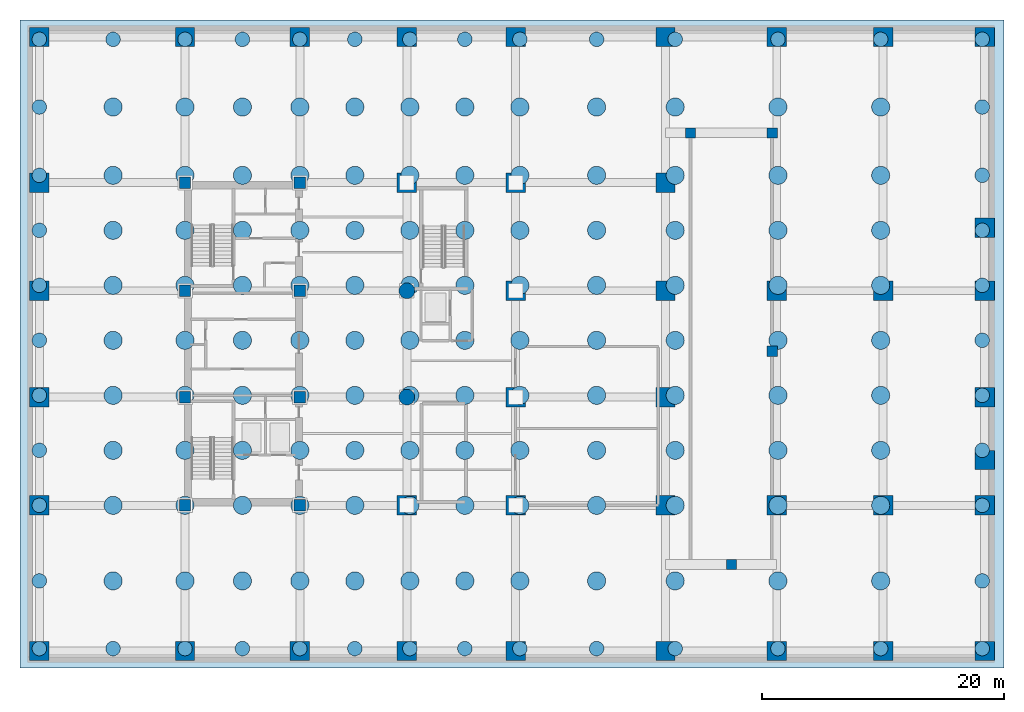
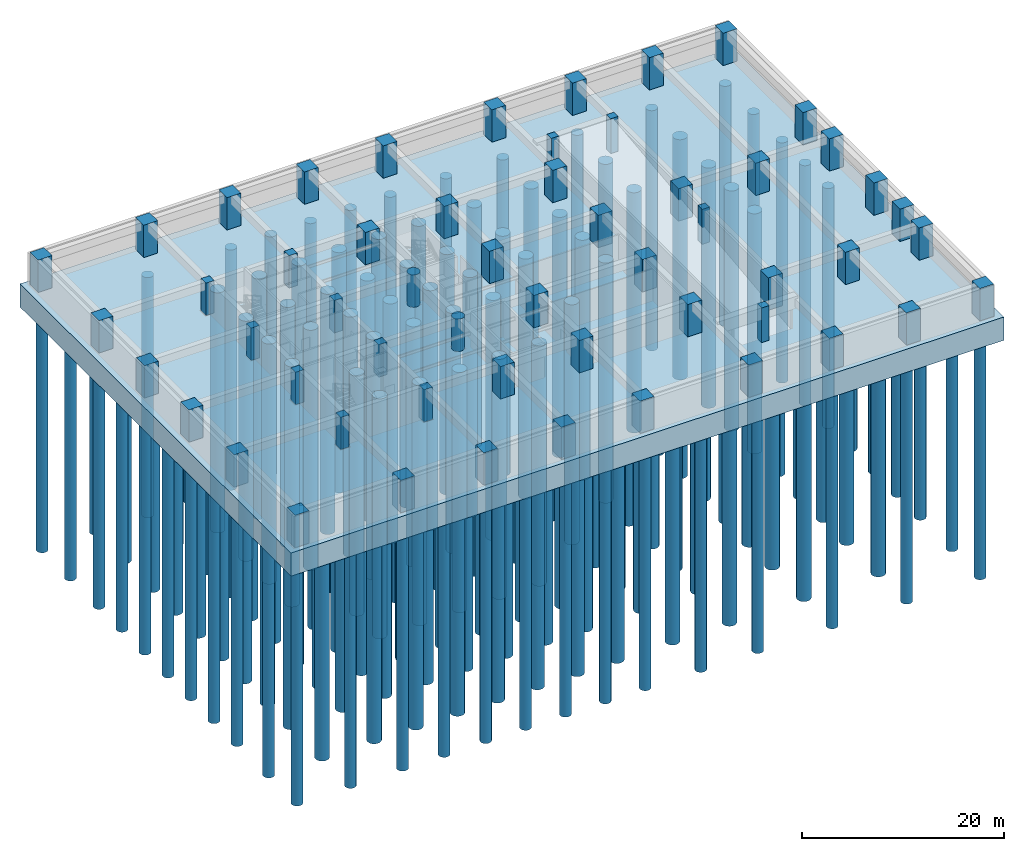
# One storey, part 1 of 9: 154 piles, 55 columns, 1 footing.
"""IFC4 building model written with IfcOpenShell, lengths in metres."""

from ifc_helpers import new_model, si_unit, direction, frame, origin, origin_2d, place, context, subcontext, project, spatial, polyline, rectangle, circle, outline, extrude, material, layer, layer_set, material_profile, profile_set, type_object, element, save


model = new_model("IFC4")

# Units and contexts
model_context = context("Model", 3, precision=1e-05, world=origin(), true_north=direction((0.0, 1.0)))
body_context = subcontext(model_context, "Body", "Model", "MODEL_VIEW")
ifc_project = project(units=[si_unit("LENGTHUNIT", "METRE"), si_unit("AREAUNIT", "SQUARE_METRE"), si_unit("VOLUMEUNIT", "CUBIC_METRE"), si_unit("PLANEANGLEUNIT", "RADIAN"), si_unit("MASSUNIT", "GRAM", prefix="KILO")], contexts=[model_context])

# Site, building, storey
site_placement = place(None, origin())
site = spatial("IfcSite", under=ifc_project, at=site_placement, CompositionType="ELEMENT")
building_placement = place(site_placement, origin())
building = spatial("IfcBuilding", under=site, at=building_placement, Name="Kundavana Baori Tower", CompositionType="ELEMENT")
storey_placement = place(building_placement, frame((0.0, 0.0, -8.39990234375)))
storey = spatial("IfcBuildingStorey", under=building, at=storey_placement, Name="B02", CompositionType="ELEMENT", Elevation=-8.39990234375)

# Footing
ifc_material_1 = material(Name="Concrete C50/60", Category="concrete")
ifc_layer = layer(ifc_material_1, 2.800048828125, Name="FT-RAFT-2800")
ifc_layer_set = layer_set([ifc_layer], Name="Concrete C50/60")
footing_type = type_object("IfcFootingType", Name="FT-RAFT-2800", PredefinedType="PAD_FOOTING", material=ifc_layer_set)
footing_placement = place(storey_placement, frame((0.0, 0.0, -2.800048828125)))
element("IfcFooting", 1, at=footing_placement, inside=storey, type_object=footing_type, Name="Unified Reinforced Concrete Piled Raft RAFT-1", PredefinedType="PAD_FOOTING", context=body_context, shape_type="SweptSolid", body=[
    extrude(outline(polyline([(1.800048828125, 1.800048828125), (83.199951171875, 1.800048828125), (83.199951171875, 55.39990234375), (1.800048828125, 55.39990234375), (1.800048828125, 1.800048828125)])), origin(), (0.0, 0.0, 1.0), 2.800048828125),
])

# Piles
ifc_material_2 = material(Name="Concrete C50/60", Category="concrete")
ifc_material_profile_1 = material_profile(ifc_material_2, circle(Radius=0.60009765625, at=origin_2d()), Name="BORED PILE D1200")
ifc_profile_set_1 = profile_set([ifc_material_profile_1], Name="Concrete C50/60")
pile_type_1 = type_object("IfcPileType", Name="PL-BORED-1200", PredefinedType="BORED", material=ifc_profile_set_1)
for number, where, z_axis, x_axis, name in (
    (2, (3.39990234375, 3.39990234375, -2.650146484375), (0.0, 0.0, -1.0), (1.0, 0.0, 0.0), "Bored Rock-Socketed Pile BP-001"),
    (3, (3.39990234375, 9.0, -2.650146484375), (0.0, 0.0, -1.0), (1.0, 0.0, 0.0), "Bored Rock-Socketed Pile BP-002"),
    (4, (3.39990234375, 15.25, -2.650146484375), (0.0, 0.0, -1.0), (1.0, 0.0, 0.0), "Bored Rock-Socketed Pile BP-003"),
    (5, (3.39990234375, 19.800048828125, -2.650146484375), (0.0, 0.0, -1.0), (1.0, 0.0, 0.0), "Bored Rock-Socketed Pile BP-004"),
    (6, (3.39990234375, 24.35009765625, -2.650146484375), (0.0, 0.0, -1.0), (1.0, 0.0, 0.0), "Bored Rock-Socketed Pile BP-005"),
    (7, (3.39990234375, 28.89990234375, -2.650146484375), (0.0, 0.0, -1.0), (1.0, 0.0, 0.0), "Bored Rock-Socketed Pile BP-006"),
    (8, (3.39990234375, 33.449951171875, -2.650146484375), (0.0, 0.0, -1.0), (1.0, 0.0, 0.0), "Bored Rock-Socketed Pile BP-007"),
    (9, (3.39990234375, 38.0, -2.650146484375), (0.0, 0.0, -1.0), (1.0, 0.0, 0.0), "Bored Rock-Socketed Pile BP-008"),
    (10, (3.39990234375, 42.550048828125, -2.650146484375), (0.0, 0.0, -1.0), (1.0, 0.0, 0.0), "Bored Rock-Socketed Pile BP-009"),
    (11, (3.39990234375, 48.199951171875, -2.650146484375), (0.0, 0.0, -1.0), (1.0, 0.0, 0.0), "Bored Rock-Socketed Pile BP-010"),
    (12, (3.39990234375, 53.800048828125, -2.650146484375), (0.0, 0.0, -1.0), (1.0, 0.0, 0.0), "Bored Rock-Socketed Pile BP-011"),
    (13, (9.5, 3.39990234375, -2.650146484375), (0.0, 0.0, -1.0), (1.0, 0.0, 0.0), "Bored Rock-Socketed Pile BP-012"),
    (14, (9.5, 53.800048828125, -2.650146484375), (0.0, 0.0, -1.0), (1.0, 0.0, 0.0), "Bored Rock-Socketed Pile BP-022"),
    (15, (15.449951171875, 3.39990234375, -2.650146484375), (0.0, 0.0, -1.0), (1.0, 0.0, 0.0), "Bored Rock-Socketed Pile BP-023"),
    (16, (15.449951171875, 53.800048828125, -2.650146484375), (0.0, 0.0, -1.0), (1.0, 0.0, 0.0), "Bored Rock-Socketed Pile BP-033"),
    (17, (20.199951171875, 3.39990234375, -2.650146484375), (0.0, 0.0, -1.0), (1.0, 0.0, 0.0), "Bored Rock-Socketed Pile BP-034"),
    (18, (20.199951171875, 53.800048828125, -2.650146484375), (0.0, 0.0, -1.0), (1.0, 0.0, 0.0), "Bored Rock-Socketed Pile BP-044"),
    (19, (24.949951171875, 3.39990234375, -2.650146484375), (0.0, 0.0, -1.0), (1.0, 0.0, 0.0), "Bored Rock-Socketed Pile BP-045"),
    (20, (24.949951171875, 53.800048828125, -2.650146484375), (0.0, 0.0, -1.0), (1.0, 0.0, 0.0), "Bored Rock-Socketed Pile BP-055"),
    (21, (29.5, 3.39990234375, -2.650146484375), (0.0, 0.0, -1.0), (1.0, 0.0, 0.0), "Bored Rock-Socketed Pile BP-056"),
    (22, (29.5, 53.800048828125, -2.650146484375), (0.0, 0.0, -1.0), (1.0, 0.0, 0.0), "Bored Rock-Socketed Pile BP-066"),
    (23, (34.050048828125, 3.39990234375, -2.650146484375), (0.0, 0.0, -1.0), (1.0, 0.0, 0.0), "Bored Rock-Socketed Pile BP-067"),
    (24, (34.050048828125, 53.800048828125, -2.650146484375), (0.0, 0.0, -1.0), (1.0, 0.0, 0.0), "Bored Rock-Socketed Pile BP-077"),
    (25, (38.60009765625, 3.39990234375, -2.650146484375), (0.0, 0.0, -1.0), (1.0, 0.0, 0.0), "Bored Rock-Socketed Pile BP-078"),
    (26, (38.60009765625, 53.800048828125, -2.650146484375), (0.0, 0.0, -1.0), (1.0, 0.0, 0.0), "Bored Rock-Socketed Pile BP-088"),
    (27, (43.14990234375, 3.39990234375, -2.650146484375), (0.0, 0.0, -1.0), (1.0, 0.0, 0.0), "Bored Rock-Socketed Pile BP-089"),
    (28, (43.14990234375, 53.800048828125, -2.650146484375), (0.0, 0.0, -1.0), (1.0, 0.0, 0.0), "Bored Rock-Socketed Pile BP-099"),
    (29, (49.5, 3.39990234375, -2.650146484375), (0.0, 0.0, -1.0), (1.0, 0.0, 0.0), "Bored Rock-Socketed Pile BP-100"),
    (30, (49.5, 53.800048828125, -2.650146484375), (0.0, 0.0, -1.0), (1.0, 0.0, 0.0), "Bored Rock-Socketed Pile BP-110"),
    (31, (56.0, 3.39990234375, -2.650146484375), (0.0, 0.0, -1.0), (1.0, 0.0, 0.0), "Bored Rock-Socketed Pile BP-111"),
    (32, (56.0, 53.800048828125, -2.650146484375), (0.0, 0.0, -1.0), (1.0, 0.0, 0.0), "Bored Rock-Socketed Pile BP-121"),
    (33, (64.5, 3.39990234375, -2.650146484375), (0.0, 0.0, -1.0), (1.0, 0.0, 0.0), "Bored Rock-Socketed Pile BP-122"),
    (34, (64.5, 53.800048828125, -2.650146484375), (0.0, 0.0, -1.0), (1.0, 0.0, 0.0), "Bored Rock-Socketed Pile BP-132"),
    (35, (73.0, 3.39990234375, -2.650146484375), (0.0, 0.0, -1.0), (1.0, 0.0, 0.0), "Bored Rock-Socketed Pile BP-133"),
    (36, (73.0, 53.800048828125, -2.650146484375), (0.0, 0.0, -1.0), (1.0, 0.0, 0.0), "Bored Rock-Socketed Pile BP-143"),
    (37, (81.39990234375, 3.39990234375, -2.650146484375), (0.0, 0.0, -1.0), (1.0, 0.0, 0.0), "Bored Rock-Socketed Pile BP-144"),
    (38, (81.39990234375, 9.0, -2.650146484375), (0.0, 0.0, -1.0), (1.0, 0.0, 0.0), "Bored Rock-Socketed Pile BP-145"),
    (39, (81.39990234375, 15.25, -2.650146484375), (0.0, 0.0, -1.0), (1.0, 0.0, 0.0), "Bored Rock-Socketed Pile BP-146"),
    (40, (81.39990234375, 19.800048828125, -2.650146484375), (0.0, 0.0, -1.0), (1.0, 0.0, 0.0), "Bored Rock-Socketed Pile BP-147"),
    (41, (81.39990234375, 24.35009765625, -2.650146484375), (0.0, 0.0, -1.0), (1.0, 0.0, 0.0), "Bored Rock-Socketed Pile BP-148"),
    (42, (81.39990234375, 28.89990234375, -2.650146484375), (0.0, 0.0, -1.0), (1.0, 0.0, 0.0), "Bored Rock-Socketed Pile BP-149"),
    (43, (81.39990234375, 33.449951171875, -2.650146484375), (0.0, 0.0, -1.0), (1.0, 0.0, 0.0), "Bored Rock-Socketed Pile BP-150"),
    (44, (81.39990234375, 38.0, -2.650146484375), (0.0, 0.0, -1.0), (1.0, 0.0, 0.0), "Bored Rock-Socketed Pile BP-151"),
    (45, (81.39990234375, 42.550048828125, -2.650146484375), (0.0, 0.0, -1.0), (1.0, 0.0, 0.0), "Bored Rock-Socketed Pile BP-152"),
    (46, (81.39990234375, 48.199951171875, -2.650146484375), (0.0, 0.0, -1.0), (1.0, 0.0, 0.0), "Bored Rock-Socketed Pile BP-153"),
    (47, (81.39990234375, 53.800048828125, -2.650146484375), (0.0, 0.0, -1.0), (1.0, 0.0, 0.0), "Bored Rock-Socketed Pile BP-154"),
):
    element("IfcPile", number, at=place(storey_placement, frame(where, z_axis=z_axis, x_axis=x_axis)), inside=storey, type_object=pile_type_1, Name=name, PredefinedType="BORED", context=body_context, shape_type="SweptSolid", body=[
        extrude(circle(Radius=0.60009765625, at=origin_2d()), origin(), (0.0, 0.0, 1.0), 29.0),
    ])
ifc_material_3 = material(Name="Concrete C50/60", Category="concrete")
ifc_material_profile_2 = material_profile(ifc_material_3, circle(Radius=0.75, at=origin_2d()), Name="BORED PILE D1500")
ifc_profile_set_2 = profile_set([ifc_material_profile_2], Name="Concrete C50/60")
pile_type_2 = type_object("IfcPileType", Name="PL-BORED-1500", PredefinedType="BORED", material=ifc_profile_set_2)
for number, where, z_axis, x_axis, name in (
    (48, (9.5, 9.0, -2.650146484375), (0.0, 0.0, -1.0), (1.0, 0.0, 0.0), "Bored Rock-Socketed Pile BP-013"),
    (49, (9.5, 15.25, -2.650146484375), (0.0, 0.0, -1.0), (1.0, 0.0, 0.0), "Bored Rock-Socketed Pile BP-014"),
    (50, (9.5, 19.800048828125, -2.650146484375), (0.0, 0.0, -1.0), (1.0, 0.0, 0.0), "Bored Rock-Socketed Pile BP-015"),
    (51, (9.5, 24.35009765625, -2.650146484375), (0.0, 0.0, -1.0), (1.0, 0.0, 0.0), "Bored Rock-Socketed Pile BP-016"),
    (52, (9.5, 28.89990234375, -2.650146484375), (0.0, 0.0, -1.0), (1.0, 0.0, 0.0), "Bored Rock-Socketed Pile BP-017"),
    (53, (9.5, 33.449951171875, -2.650146484375), (0.0, 0.0, -1.0), (1.0, 0.0, 0.0), "Bored Rock-Socketed Pile BP-018"),
    (54, (9.5, 38.0, -2.650146484375), (0.0, 0.0, -1.0), (1.0, 0.0, 0.0), "Bored Rock-Socketed Pile BP-019"),
    (55, (9.5, 42.550048828125, -2.650146484375), (0.0, 0.0, -1.0), (1.0, 0.0, 0.0), "Bored Rock-Socketed Pile BP-020"),
    (56, (9.5, 48.199951171875, -2.650146484375), (0.0, 0.0, -1.0), (1.0, 0.0, 0.0), "Bored Rock-Socketed Pile BP-021"),
    (57, (15.449951171875, 9.0, -2.650146484375), (0.0, 0.0, -1.0), (1.0, 0.0, 0.0), "Bored Rock-Socketed Pile BP-024"),
    (58, (15.449951171875, 15.25, -2.650146484375), (0.0, 0.0, -1.0), (1.0, 0.0, 0.0), "Bored Rock-Socketed Pile BP-025"),
    (59, (15.449951171875, 19.800048828125, -2.650146484375), (0.0, 0.0, -1.0), (1.0, 0.0, 0.0), "Bored Rock-Socketed Pile BP-026"),
    (60, (15.449951171875, 24.35009765625, -2.650146484375), (0.0, 0.0, -1.0), (1.0, 0.0, 0.0), "Bored Rock-Socketed Pile BP-027"),
    (61, (15.449951171875, 28.89990234375, -2.650146484375), (0.0, 0.0, -1.0), (1.0, 0.0, 0.0), "Bored Rock-Socketed Pile BP-028"),
    (62, (15.449951171875, 33.449951171875, -2.650146484375), (0.0, 0.0, -1.0), (1.0, 0.0, 0.0), "Bored Rock-Socketed Pile BP-029"),
    (63, (15.449951171875, 38.0, -2.650146484375), (0.0, 0.0, -1.0), (1.0, 0.0, 0.0), "Bored Rock-Socketed Pile BP-030"),
    (64, (15.449951171875, 42.550048828125, -2.650146484375), (0.0, 0.0, -1.0), (1.0, 0.0, 0.0), "Bored Rock-Socketed Pile BP-031"),
    (65, (15.449951171875, 48.199951171875, -2.650146484375), (0.0, 0.0, -1.0), (1.0, 0.0, 0.0), "Bored Rock-Socketed Pile BP-032"),
    (66, (20.199951171875, 9.0, -2.650146484375), (0.0, 0.0, -1.0), (1.0, 0.0, 0.0), "Bored Rock-Socketed Pile BP-035"),
    (67, (20.199951171875, 15.25, -2.650146484375), (0.0, 0.0, -1.0), (1.0, 0.0, 0.0), "Bored Rock-Socketed Pile BP-036"),
    (68, (20.199951171875, 19.800048828125, -2.650146484375), (0.0, 0.0, -1.0), (1.0, 0.0, 0.0), "Bored Rock-Socketed Pile BP-037"),
    (69, (20.199951171875, 24.35009765625, -2.650146484375), (0.0, 0.0, -1.0), (1.0, 0.0, 0.0), "Bored Rock-Socketed Pile BP-038"),
    (70, (20.199951171875, 28.89990234375, -2.650146484375), (0.0, 0.0, -1.0), (1.0, 0.0, 0.0), "Bored Rock-Socketed Pile BP-039"),
    (71, (20.199951171875, 33.449951171875, -2.650146484375), (0.0, 0.0, -1.0), (1.0, 0.0, 0.0), "Bored Rock-Socketed Pile BP-040"),
    (72, (20.199951171875, 38.0, -2.650146484375), (0.0, 0.0, -1.0), (1.0, 0.0, 0.0), "Bored Rock-Socketed Pile BP-041"),
    (73, (20.199951171875, 42.550048828125, -2.650146484375), (0.0, 0.0, -1.0), (1.0, 0.0, 0.0), "Bored Rock-Socketed Pile BP-042"),
    (74, (20.199951171875, 48.199951171875, -2.650146484375), (0.0, 0.0, -1.0), (1.0, 0.0, 0.0), "Bored Rock-Socketed Pile BP-043"),
    (75, (24.949951171875, 9.0, -2.650146484375), (0.0, 0.0, -1.0), (1.0, 0.0, 0.0), "Bored Rock-Socketed Pile BP-046"),
    (76, (24.949951171875, 15.25, -2.650146484375), (0.0, 0.0, -1.0), (1.0, 0.0, 0.0), "Bored Rock-Socketed Pile BP-047"),
    (77, (24.949951171875, 19.800048828125, -2.650146484375), (0.0, 0.0, -1.0), (1.0, 0.0, 0.0), "Bored Rock-Socketed Pile BP-048"),
    (78, (24.949951171875, 24.35009765625, -2.650146484375), (0.0, 0.0, -1.0), (1.0, 0.0, 0.0), "Bored Rock-Socketed Pile BP-049"),
    (79, (24.949951171875, 28.89990234375, -2.650146484375), (0.0, 0.0, -1.0), (1.0, 0.0, 0.0), "Bored Rock-Socketed Pile BP-050"),
    (80, (24.949951171875, 33.449951171875, -2.650146484375), (0.0, 0.0, -1.0), (1.0, 0.0, 0.0), "Bored Rock-Socketed Pile BP-051"),
    (81, (24.949951171875, 38.0, -2.650146484375), (0.0, 0.0, -1.0), (1.0, 0.0, 0.0), "Bored Rock-Socketed Pile BP-052"),
    (82, (24.949951171875, 42.550048828125, -2.650146484375), (0.0, 0.0, -1.0), (1.0, 0.0, 0.0), "Bored Rock-Socketed Pile BP-053"),
    (83, (24.949951171875, 48.199951171875, -2.650146484375), (0.0, 0.0, -1.0), (1.0, 0.0, 0.0), "Bored Rock-Socketed Pile BP-054"),
    (84, (29.5, 9.0, -2.650146484375), (0.0, 0.0, -1.0), (1.0, 0.0, 0.0), "Bored Rock-Socketed Pile BP-057"),
    (85, (29.5, 15.25, -2.650146484375), (0.0, 0.0, -1.0), (1.0, 0.0, 0.0), "Bored Rock-Socketed Pile BP-058"),
    (86, (29.5, 19.800048828125, -2.650146484375), (0.0, 0.0, -1.0), (1.0, 0.0, 0.0), "Bored Rock-Socketed Pile BP-059"),
    (87, (29.5, 24.35009765625, -2.650146484375), (0.0, 0.0, -1.0), (1.0, 0.0, 0.0), "Bored Rock-Socketed Pile BP-060"),
    (88, (29.5, 28.89990234375, -2.650146484375), (0.0, 0.0, -1.0), (1.0, 0.0, 0.0), "Bored Rock-Socketed Pile BP-061"),
    (89, (29.5, 33.449951171875, -2.650146484375), (0.0, 0.0, -1.0), (1.0, 0.0, 0.0), "Bored Rock-Socketed Pile BP-062"),
    (90, (29.5, 38.0, -2.650146484375), (0.0, 0.0, -1.0), (1.0, 0.0, 0.0), "Bored Rock-Socketed Pile BP-063"),
    (91, (29.5, 42.550048828125, -2.650146484375), (0.0, 0.0, -1.0), (1.0, 0.0, 0.0), "Bored Rock-Socketed Pile BP-064"),
    (92, (29.5, 48.199951171875, -2.650146484375), (0.0, 0.0, -1.0), (1.0, 0.0, 0.0), "Bored Rock-Socketed Pile BP-065"),
    (93, (34.050048828125, 9.0, -2.650146484375), (0.0, 0.0, -1.0), (1.0, 0.0, 0.0), "Bored Rock-Socketed Pile BP-068"),
    (94, (34.050048828125, 15.25, -2.650146484375), (0.0, 0.0, -1.0), (1.0, 0.0, 0.0), "Bored Rock-Socketed Pile BP-069"),
    (95, (34.050048828125, 19.800048828125, -2.650146484375), (0.0, 0.0, -1.0), (1.0, 0.0, 0.0), "Bored Rock-Socketed Pile BP-070"),
    (96, (34.050048828125, 24.35009765625, -2.650146484375), (0.0, 0.0, -1.0), (1.0, 0.0, 0.0), "Bored Rock-Socketed Pile BP-071"),
    (97, (34.050048828125, 28.89990234375, -2.650146484375), (0.0, 0.0, -1.0), (1.0, 0.0, 0.0), "Bored Rock-Socketed Pile BP-072"),
    (98, (34.050048828125, 33.449951171875, -2.650146484375), (0.0, 0.0, -1.0), (1.0, 0.0, 0.0), "Bored Rock-Socketed Pile BP-073"),
    (99, (34.050048828125, 38.0, -2.650146484375), (0.0, 0.0, -1.0), (1.0, 0.0, 0.0), "Bored Rock-Socketed Pile BP-074"),
    (100, (34.050048828125, 42.550048828125, -2.650146484375), (0.0, 0.0, -1.0), (1.0, 0.0, 0.0), "Bored Rock-Socketed Pile BP-075"),
    (101, (34.050048828125, 48.199951171875, -2.650146484375), (0.0, 0.0, -1.0), (1.0, 0.0, 0.0), "Bored Rock-Socketed Pile BP-076"),
    (102, (38.60009765625, 9.0, -2.650146484375), (0.0, 0.0, -1.0), (1.0, 0.0, 0.0), "Bored Rock-Socketed Pile BP-079"),
    (103, (38.60009765625, 15.25, -2.650146484375), (0.0, 0.0, -1.0), (1.0, 0.0, 0.0), "Bored Rock-Socketed Pile BP-080"),
    (104, (38.60009765625, 19.800048828125, -2.650146484375), (0.0, 0.0, -1.0), (1.0, 0.0, 0.0), "Bored Rock-Socketed Pile BP-081"),
    (105, (38.60009765625, 24.35009765625, -2.650146484375), (0.0, 0.0, -1.0), (1.0, 0.0, 0.0), "Bored Rock-Socketed Pile BP-082"),
    (106, (38.60009765625, 28.89990234375, -2.650146484375), (0.0, 0.0, -1.0), (1.0, 0.0, 0.0), "Bored Rock-Socketed Pile BP-083"),
    (107, (38.60009765625, 33.449951171875, -2.650146484375), (0.0, 0.0, -1.0), (1.0, 0.0, 0.0), "Bored Rock-Socketed Pile BP-084"),
    (108, (38.60009765625, 38.0, -2.650146484375), (0.0, 0.0, -1.0), (1.0, 0.0, 0.0), "Bored Rock-Socketed Pile BP-085"),
    (109, (38.60009765625, 42.550048828125, -2.650146484375), (0.0, 0.0, -1.0), (1.0, 0.0, 0.0), "Bored Rock-Socketed Pile BP-086"),
    (110, (38.60009765625, 48.199951171875, -2.650146484375), (0.0, 0.0, -1.0), (1.0, 0.0, 0.0), "Bored Rock-Socketed Pile BP-087"),
    (111, (43.14990234375, 9.0, -2.650146484375), (0.0, 0.0, -1.0), (1.0, 0.0, 0.0), "Bored Rock-Socketed Pile BP-090"),
    (112, (43.14990234375, 15.25, -2.650146484375), (0.0, 0.0, -1.0), (1.0, 0.0, 0.0), "Bored Rock-Socketed Pile BP-091"),
    (113, (43.14990234375, 19.800048828125, -2.650146484375), (0.0, 0.0, -1.0), (1.0, 0.0, 0.0), "Bored Rock-Socketed Pile BP-092"),
    (114, (43.14990234375, 24.35009765625, -2.650146484375), (0.0, 0.0, -1.0), (1.0, 0.0, 0.0), "Bored Rock-Socketed Pile BP-093"),
    (115, (43.14990234375, 28.89990234375, -2.650146484375), (0.0, 0.0, -1.0), (1.0, 0.0, 0.0), "Bored Rock-Socketed Pile BP-094"),
    (116, (43.14990234375, 33.449951171875, -2.650146484375), (0.0, 0.0, -1.0), (1.0, 0.0, 0.0), "Bored Rock-Socketed Pile BP-095"),
    (117, (43.14990234375, 38.0, -2.650146484375), (0.0, 0.0, -1.0), (1.0, 0.0, 0.0), "Bored Rock-Socketed Pile BP-096"),
    (118, (43.14990234375, 42.550048828125, -2.650146484375), (0.0, 0.0, -1.0), (1.0, 0.0, 0.0), "Bored Rock-Socketed Pile BP-097"),
    (119, (43.14990234375, 48.199951171875, -2.650146484375), (0.0, 0.0, -1.0), (1.0, 0.0, 0.0), "Bored Rock-Socketed Pile BP-098"),
    (120, (49.5, 9.0, -2.650146484375), (0.0, 0.0, -1.0), (1.0, 0.0, 0.0), "Bored Rock-Socketed Pile BP-101"),
    (121, (49.5, 15.25, -2.650146484375), (0.0, 0.0, -1.0), (1.0, 0.0, 0.0), "Bored Rock-Socketed Pile BP-102"),
    (122, (49.5, 19.800048828125, -2.650146484375), (0.0, 0.0, -1.0), (1.0, 0.0, 0.0), "Bored Rock-Socketed Pile BP-103"),
    (123, (49.5, 24.35009765625, -2.650146484375), (0.0, 0.0, -1.0), (1.0, 0.0, 0.0), "Bored Rock-Socketed Pile BP-104"),
    (124, (49.5, 28.89990234375, -2.650146484375), (0.0, 0.0, -1.0), (1.0, 0.0, 0.0), "Bored Rock-Socketed Pile BP-105"),
    (125, (49.5, 33.449951171875, -2.650146484375), (0.0, 0.0, -1.0), (1.0, 0.0, 0.0), "Bored Rock-Socketed Pile BP-106"),
    (126, (49.5, 38.0, -2.650146484375), (0.0, 0.0, -1.0), (1.0, 0.0, 0.0), "Bored Rock-Socketed Pile BP-107"),
    (127, (49.5, 42.550048828125, -2.650146484375), (0.0, 0.0, -1.0), (1.0, 0.0, 0.0), "Bored Rock-Socketed Pile BP-108"),
    (128, (49.5, 48.199951171875, -2.650146484375), (0.0, 0.0, -1.0), (1.0, 0.0, 0.0), "Bored Rock-Socketed Pile BP-109"),
    (129, (56.0, 9.0, -2.650146484375), (0.0, 0.0, -1.0), (1.0, 0.0, 0.0), "Bored Rock-Socketed Pile BP-112"),
    (130, (56.0, 15.25, -2.650146484375), (0.0, 0.0, -1.0), (1.0, 0.0, 0.0), "Bored Rock-Socketed Pile BP-113"),
    (131, (56.0, 19.800048828125, -2.650146484375), (0.0, 0.0, -1.0), (1.0, 0.0, 0.0), "Bored Rock-Socketed Pile BP-114"),
    (132, (56.0, 24.35009765625, -2.650146484375), (0.0, 0.0, -1.0), (1.0, 0.0, 0.0), "Bored Rock-Socketed Pile BP-115"),
    (133, (56.0, 28.89990234375, -2.650146484375), (0.0, 0.0, -1.0), (1.0, 0.0, 0.0), "Bored Rock-Socketed Pile BP-116"),
    (134, (56.0, 33.449951171875, -2.650146484375), (0.0, 0.0, -1.0), (1.0, 0.0, 0.0), "Bored Rock-Socketed Pile BP-117"),
    (135, (56.0, 38.0, -2.650146484375), (0.0, 0.0, -1.0), (1.0, 0.0, 0.0), "Bored Rock-Socketed Pile BP-118"),
    (136, (56.0, 42.550048828125, -2.650146484375), (0.0, 0.0, -1.0), (1.0, 0.0, 0.0), "Bored Rock-Socketed Pile BP-119"),
    (137, (56.0, 48.199951171875, -2.650146484375), (0.0, 0.0, -1.0), (1.0, 0.0, 0.0), "Bored Rock-Socketed Pile BP-120"),
    (138, (64.5, 9.0, -2.650146484375), (0.0, 0.0, -1.0), (1.0, 0.0, 0.0), "Bored Rock-Socketed Pile BP-123"),
    (139, (64.5, 15.25, -2.650146484375), (0.0, 0.0, -1.0), (1.0, 0.0, 0.0), "Bored Rock-Socketed Pile BP-124"),
    (140, (64.5, 19.800048828125, -2.650146484375), (0.0, 0.0, -1.0), (1.0, 0.0, 0.0), "Bored Rock-Socketed Pile BP-125"),
    (141, (64.5, 24.35009765625, -2.650146484375), (0.0, 0.0, -1.0), (1.0, 0.0, 0.0), "Bored Rock-Socketed Pile BP-126"),
    (142, (64.5, 28.89990234375, -2.650146484375), (0.0, 0.0, -1.0), (1.0, 0.0, 0.0), "Bored Rock-Socketed Pile BP-127"),
    (143, (64.5, 33.449951171875, -2.650146484375), (0.0, 0.0, -1.0), (1.0, 0.0, 0.0), "Bored Rock-Socketed Pile BP-128"),
    (144, (64.5, 38.0, -2.650146484375), (0.0, 0.0, -1.0), (1.0, 0.0, 0.0), "Bored Rock-Socketed Pile BP-129"),
    (145, (64.5, 42.550048828125, -2.650146484375), (0.0, 0.0, -1.0), (1.0, 0.0, 0.0), "Bored Rock-Socketed Pile BP-130"),
    (146, (64.5, 48.199951171875, -2.650146484375), (0.0, 0.0, -1.0), (1.0, 0.0, 0.0), "Bored Rock-Socketed Pile BP-131"),
    (147, (73.0, 9.0, -2.650146484375), (0.0, 0.0, -1.0), (1.0, 0.0, 0.0), "Bored Rock-Socketed Pile BP-134"),
    (148, (73.0, 15.25, -2.650146484375), (0.0, 0.0, -1.0), (1.0, 0.0, 0.0), "Bored Rock-Socketed Pile BP-135"),
    (149, (73.0, 19.800048828125, -2.650146484375), (0.0, 0.0, -1.0), (1.0, 0.0, 0.0), "Bored Rock-Socketed Pile BP-136"),
    (150, (73.0, 24.35009765625, -2.650146484375), (0.0, 0.0, -1.0), (1.0, 0.0, 0.0), "Bored Rock-Socketed Pile BP-137"),
    (151, (73.0, 28.89990234375, -2.650146484375), (0.0, 0.0, -1.0), (1.0, 0.0, 0.0), "Bored Rock-Socketed Pile BP-138"),
    (152, (73.0, 33.449951171875, -2.650146484375), (0.0, 0.0, -1.0), (1.0, 0.0, 0.0), "Bored Rock-Socketed Pile BP-139"),
    (153, (73.0, 38.0, -2.650146484375), (0.0, 0.0, -1.0), (1.0, 0.0, 0.0), "Bored Rock-Socketed Pile BP-140"),
    (154, (73.0, 42.550048828125, -2.650146484375), (0.0, 0.0, -1.0), (1.0, 0.0, 0.0), "Bored Rock-Socketed Pile BP-141"),
    (155, (73.0, 48.199951171875, -2.650146484375), (0.0, 0.0, -1.0), (1.0, 0.0, 0.0), "Bored Rock-Socketed Pile BP-142"),
):
    element("IfcPile", number, at=place(storey_placement, frame(where, z_axis=z_axis, x_axis=x_axis)), inside=storey, type_object=pile_type_2, Name=name, PredefinedType="BORED", context=body_context, shape_type="SweptSolid", body=[
        extrude(circle(Radius=0.75, at=origin_2d()), origin(), (0.0, 0.0, 1.0), 29.0),
    ])

# Columns
ifc_material_4 = material(Name="Concrete C60/75", Category="concrete")
ifc_material_profile_3 = material_profile(ifc_material_4, rectangle(XDim=1.60009765625, YDim=1.60009765625, at=origin_2d()), Name="RC 1600x1600")
ifc_profile_set_3 = profile_set([ifc_material_profile_3], Name="Concrete C60/75")
column_type_1 = type_object("IfcColumnType", Name="COL-RC-1600", PredefinedType="COLUMN", material=ifc_profile_set_3)
for number, where, z_axis, x_axis, name in (
    (156, (33.800048828125, 15.25, 0.0), (0.0, 0.0, 1.0), (1.0, 0.0, 0.0), "B02 Interior Column IC-5C"),
    (157, (33.800048828125, 41.949951171875, 0.0), (0.0, 0.0, 1.0), (1.0, 0.0, 0.0), "B02 Interior Column IC-5F"),
    (158, (42.800048828125, 15.25, 0.0), (0.0, 0.0, 1.0), (1.0, 0.0, 0.0), "B02 Interior Column IC-6C"),
    (159, (42.800048828125, 24.199951171875, 0.0), (0.0, 0.0, 1.0), (1.0, 0.0, 0.0), "B02 Interior Column IC-6D"),
    (160, (42.800048828125, 33.0, 0.0), (0.0, 0.0, 1.0), (1.0, 0.0, 0.0), "B02 Interior Column IC-6E"),
    (161, (42.800048828125, 41.949951171875, 0.0), (0.0, 0.0, 1.0), (1.0, 0.0, 0.0), "B02 Interior Column IC-6F"),
    (162, (3.39990234375, 3.199951171875, 0.0), (0.0, 0.0, 1.0), (1.0, 0.0, 0.0), "B02 Stone-Clad Perimeter Frame Column BS-S1"),
    (163, (3.39990234375, 54.0, 0.0), (0.0, 0.0, 1.0), (1.0, 0.0, 0.0), "B02 Stone-Clad Perimeter Frame Column BS-N1"),
    (164, (15.449951171875, 3.199951171875, 0.0), (0.0, 0.0, 1.0), (1.0, 0.0, 0.0), "B02 Stone-Clad Perimeter Frame Column BS-S2"),
    (165, (15.449951171875, 54.0, 0.0), (0.0, 0.0, 1.0), (1.0, 0.0, 0.0), "B02 Stone-Clad Perimeter Frame Column BS-N2"),
    (166, (24.949951171875, 3.199951171875, 0.0), (0.0, 0.0, 1.0), (1.0, 0.0, 0.0), "B02 Stone-Clad Perimeter Frame Column BS-S3"),
    (167, (24.949951171875, 54.0, 0.0), (0.0, 0.0, 1.0), (1.0, 0.0, 0.0), "B02 Stone-Clad Perimeter Frame Column BS-N3"),
    (168, (33.800048828125, 3.199951171875, 0.0), (0.0, 0.0, 1.0), (1.0, 0.0, 0.0), "B02 Stone-Clad Perimeter Frame Column BS-S4"),
    (169, (33.800048828125, 54.0, 0.0), (0.0, 0.0, 1.0), (1.0, 0.0, 0.0), "B02 Stone-Clad Perimeter Frame Column BS-N4"),
    (170, (42.800048828125, 3.199951171875, 0.0), (0.0, 0.0, 1.0), (1.0, 0.0, 0.0), "B02 Stone-Clad Perimeter Frame Column BS-S5"),
    (171, (42.800048828125, 54.0, 0.0), (0.0, 0.0, 1.0), (1.0, 0.0, 0.0), "B02 Stone-Clad Perimeter Frame Column BS-N5"),
    (172, (55.199951171875, 3.199951171875, 0.0), (0.0, 0.0, 1.0), (1.0, 0.0, 0.0), "B02 Stone-Clad Perimeter Frame Column BS-S6"),
    (173, (55.199951171875, 54.0, 0.0), (0.0, 0.0, 1.0), (1.0, 0.0, 0.0), "B02 Stone-Clad Perimeter Frame Column BS-N6"),
    (174, (3.39990234375, 15.25, 0.0), (0.0, 0.0, 1.0), (1.0, 0.0, 0.0), "B02 Stone-Clad Perimeter Frame Column BS-W2"),
    (175, (55.199951171875, 15.25, 0.0), (0.0, 0.0, 1.0), (1.0, 0.0, 0.0), "B02 Stone-Clad Perimeter Frame Column BS-E2"),
    (176, (3.39990234375, 24.199951171875, 0.0), (0.0, 0.0, 1.0), (1.0, 0.0, 0.0), "B02 Stone-Clad Perimeter Frame Column BS-W3"),
    (177, (55.199951171875, 24.199951171875, 0.0), (0.0, 0.0, 1.0), (1.0, 0.0, 0.0), "B02 Stone-Clad Perimeter Frame Column BS-E3"),
    (178, (3.39990234375, 33.0, 0.0), (0.0, 0.0, 1.0), (1.0, 0.0, 0.0), "B02 Stone-Clad Perimeter Frame Column BS-W4"),
    (179, (55.199951171875, 33.0, 0.0), (0.0, 0.0, 1.0), (1.0, 0.0, 0.0), "B02 Stone-Clad Perimeter Frame Column BS-E4"),
    (180, (3.39990234375, 41.949951171875, 0.0), (0.0, 0.0, 1.0), (1.0, 0.0, 0.0), "B02 Stone-Clad Perimeter Frame Column BS-W5"),
    (181, (55.199951171875, 41.949951171875, 0.0), (0.0, 0.0, 1.0), (1.0, 0.0, 0.0), "B02 Stone-Clad Perimeter Frame Column BS-E5"),
    (182, (64.39990234375, 3.199951171875, 0.0), (0.0, 0.0, 1.0), (1.0, 0.0, 0.0), "B02 Stone-Clad Perimeter Frame Column BS-EW1-1"),
    (183, (64.39990234375, 15.25, 0.0), (0.0, 0.0, 1.0), (1.0, 0.0, 0.0), "B02 Stone-Clad Perimeter Frame Column BS-EW1-2"),
    (184, (64.39990234375, 33.0, 0.0), (0.0, 0.0, 1.0), (1.0, 0.0, 0.0), "B02 Stone-Clad Perimeter Frame Column BS-EW1-3"),
    (185, (64.39990234375, 54.0, 0.0), (0.0, 0.0, 1.0), (1.0, 0.0, 0.0), "B02 Stone-Clad Perimeter Frame Column BS-EW1-4"),
    (186, (73.199951171875, 3.199951171875, 0.0), (0.0, 0.0, 1.0), (1.0, 0.0, 0.0), "B02 Stone-Clad Perimeter Frame Column BS-EW2-1"),
    (187, (73.199951171875, 15.25, 0.0), (0.0, 0.0, 1.0), (1.0, 0.0, 0.0), "B02 Stone-Clad Perimeter Frame Column BS-EW2-2"),
    (188, (73.199951171875, 33.0, 0.0), (0.0, 0.0, 1.0), (1.0, 0.0, 0.0), "B02 Stone-Clad Perimeter Frame Column BS-EW2-3"),
    (189, (73.199951171875, 54.0, 0.0), (0.0, 0.0, 1.0), (1.0, 0.0, 0.0), "B02 Stone-Clad Perimeter Frame Column BS-EW2-4"),
    (190, (81.60009765625, 3.199951171875, 0.0), (0.0, 0.0, 1.0), (1.0, 0.0, 0.0), "B02 Stone-Clad Perimeter Frame Column BS-EW3-1"),
    (191, (81.60009765625, 15.25, 0.0), (0.0, 0.0, 1.0), (1.0, 0.0, 0.0), "B02 Stone-Clad Perimeter Frame Column BS-EW3-2"),
    (192, (81.60009765625, 19.0, 0.0), (0.0, 0.0, 1.0), (1.0, 0.0, 0.0), "B02 Stone-Clad Perimeter Frame Column BS-EW3-3"),
    (193, (81.60009765625, 24.199951171875, 0.0), (0.0, 0.0, 1.0), (1.0, 0.0, 0.0), "B02 Stone-Clad Perimeter Frame Column BS-EW3-4"),
    (194, (81.60009765625, 33.0, 0.0), (0.0, 0.0, 1.0), (1.0, 0.0, 0.0), "B02 Stone-Clad Perimeter Frame Column BS-EW3-5"),
    (195, (81.60009765625, 38.199951171875, 0.0), (0.0, 0.0, 1.0), (1.0, 0.0, 0.0), "B02 Stone-Clad Perimeter Frame Column BS-EW3-6"),
    (196, (81.60009765625, 54.0, 0.0), (0.0, 0.0, 1.0), (1.0, 0.0, 0.0), "B02 Stone-Clad Perimeter Frame Column BS-EW3-7"),
):
    element("IfcColumn", number, at=place(storey_placement, frame(where, z_axis=z_axis, x_axis=x_axis)), inside=storey, type_object=column_type_1, Name=name, PredefinedType="COLUMN", context=body_context, shape_type="SweptSolid", body=[
        extrude(rectangle(XDim=1.60009765625, YDim=1.60009765625, at=origin_2d()), origin(), (0.0, 0.0, 1.0), 3.89990234375),
    ])
ifc_material_5 = material(Name="Concrete C50/60", Category="concrete")
ifc_material_profile_4 = material_profile(ifc_material_5, rectangle(XDim=0.85009765625, YDim=0.85009765625, at=origin_2d()), Name="RC 850x850")
ifc_profile_set_4 = profile_set([ifc_material_profile_4], Name="Concrete C50/60")
column_type_2 = type_object("IfcColumnType", Name="COL-RC-850", PredefinedType="COLUMN", material=ifc_profile_set_4)
for number, where, z_axis, x_axis, name in (
    (197, (60.64990234375, 10.360107421875, 0.0), (0.0, 0.0, 1.0), (1.0, 0.0, 0.0), "B02 Ramp Portal Headhouse Support Column S"),
    (198, (57.260009765625, 46.06005859375, 0.0), (0.0, 0.0, 1.0), (1.0, 0.0, 0.0), "B02 Ramp Portal Headhouse Support Column N"),
    (199, (64.0400390625, 46.06005859375, 0.0), (0.0, 0.0, 1.0), (1.0, 0.0, 0.0), "B02 Ramp Portal Headhouse Support Column NE"),
    (200, (64.0400390625, 28.0, 0.0), (0.0, 0.0, 1.0), (1.0, 0.0, 0.0), "B02 Ramp Portal Headhouse Support Column E"),
):
    element("IfcColumn", number, at=place(storey_placement, frame(where, z_axis=z_axis, x_axis=x_axis)), inside=storey, type_object=column_type_2, Name=name, PredefinedType="COLUMN", context=body_context, shape_type="SweptSolid", body=[
        extrude(rectangle(XDim=0.85009765625, YDim=0.85009765625, at=origin_2d()), origin(), (0.0, 0.0, 1.0), 4.199951171875),
    ])
ifc_material_6 = material(Name="Concrete C50/60", Category="concrete")
ifc_material_profile_5 = material_profile(ifc_material_6, rectangle(XDim=0.949951171875, YDim=0.949951171875, at=origin_2d()), Name="RC 950x950")
ifc_profile_set_5 = profile_set([ifc_material_profile_5], Name="Concrete C50/60")
column_type_3 = type_object("IfcColumnType", Name="COL-RC-950", PredefinedType="COLUMN", material=ifc_profile_set_5)
for number, where, z_axis, x_axis, name in (
    (201, (15.449951171875, 15.25, 0.0), (0.0, 0.0, 1.0), (1.0, 0.0, 0.0), "B02 Interior Column IC-3C"),
    (202, (15.449951171875, 24.199951171875, 0.0), (0.0, 0.0, 1.0), (1.0, 0.0, 0.0), "B02 Interior Column IC-3D"),
    (203, (15.449951171875, 33.0, 0.0), (0.0, 0.0, 1.0), (1.0, 0.0, 0.0), "B02 Interior Column IC-3E"),
    (204, (15.449951171875, 41.949951171875, 0.0), (0.0, 0.0, 1.0), (1.0, 0.0, 0.0), "B02 Interior Column IC-3F"),
    (205, (24.949951171875, 15.25, 0.0), (0.0, 0.0, 1.0), (1.0, 0.0, 0.0), "B02 Interior Column IC-4C"),
    (206, (24.949951171875, 24.199951171875, 0.0), (0.0, 0.0, 1.0), (1.0, 0.0, 0.0), "B02 Interior Column IC-4D"),
    (207, (24.949951171875, 33.0, 0.0), (0.0, 0.0, 1.0), (1.0, 0.0, 0.0), "B02 Interior Column IC-4E"),
    (208, (24.949951171875, 41.949951171875, 0.0), (0.0, 0.0, 1.0), (1.0, 0.0, 0.0), "B02 Interior Column IC-4F"),
):
    element("IfcColumn", number, at=place(storey_placement, frame(where, z_axis=z_axis, x_axis=x_axis)), inside=storey, type_object=column_type_3, Name=name, PredefinedType="COLUMN", context=body_context, shape_type="SweptSolid", body=[
        extrude(rectangle(XDim=0.949951171875, YDim=0.949951171875, at=origin_2d()), origin(), (0.0, 0.0, 1.0), 3.89990234375),
    ])
ifc_material_7 = material(Name="Concrete C60/75", Category="concrete")
ifc_material_profile_6 = material_profile(ifc_material_7, circle(Radius=0.64990234375, at=origin_2d()), Name="RC D1300")
ifc_profile_set_6 = profile_set([ifc_material_profile_6], Name="Concrete C60/75")
column_type_4 = type_object("IfcColumnType", Name="COL-RC-D1300", PredefinedType="COLUMN", material=ifc_profile_set_6)
for number, where, z_axis, x_axis, name in (
    (209, (33.800048828125, 24.199951171875, 0.0), (0.0, 0.0, 1.0), (1.0, 0.0, 0.0), "B02 Interior Column IC-5D"),
    (210, (33.800048828125, 33.0, 0.0), (0.0, 0.0, 1.0), (1.0, 0.0, 0.0), "B02 Interior Column IC-5E"),
):
    element("IfcColumn", number, at=place(storey_placement, frame(where, z_axis=z_axis, x_axis=x_axis)), inside=storey, type_object=column_type_4, Name=name, PredefinedType="COLUMN", context=body_context, shape_type="SweptSolid", body=[
        extrude(circle(Radius=0.64990234375, at=origin_2d()), origin(), (0.0, 0.0, 1.0), 3.89990234375),
    ])

save(model, "model.ifc")
